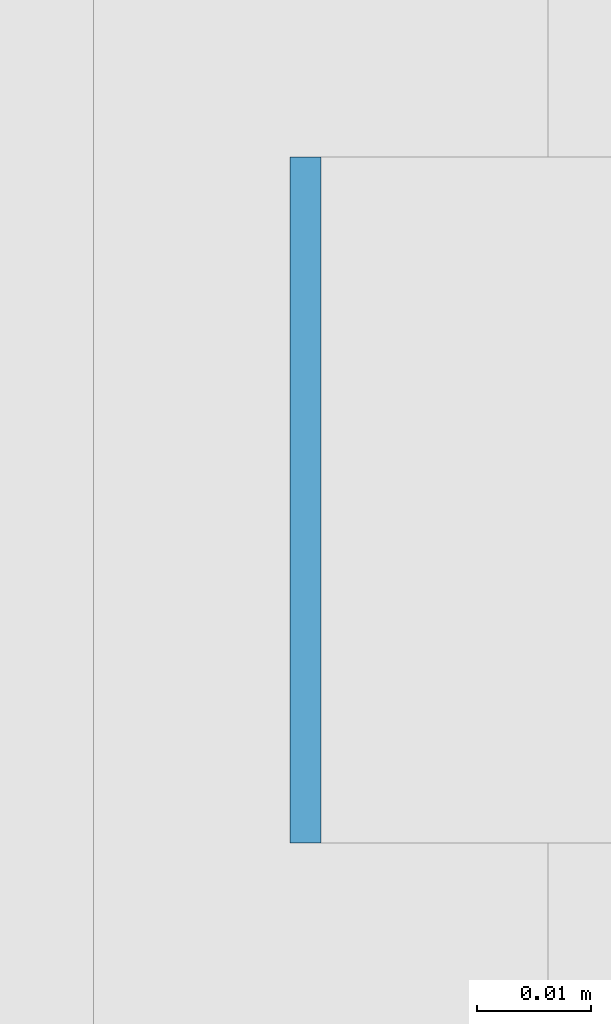
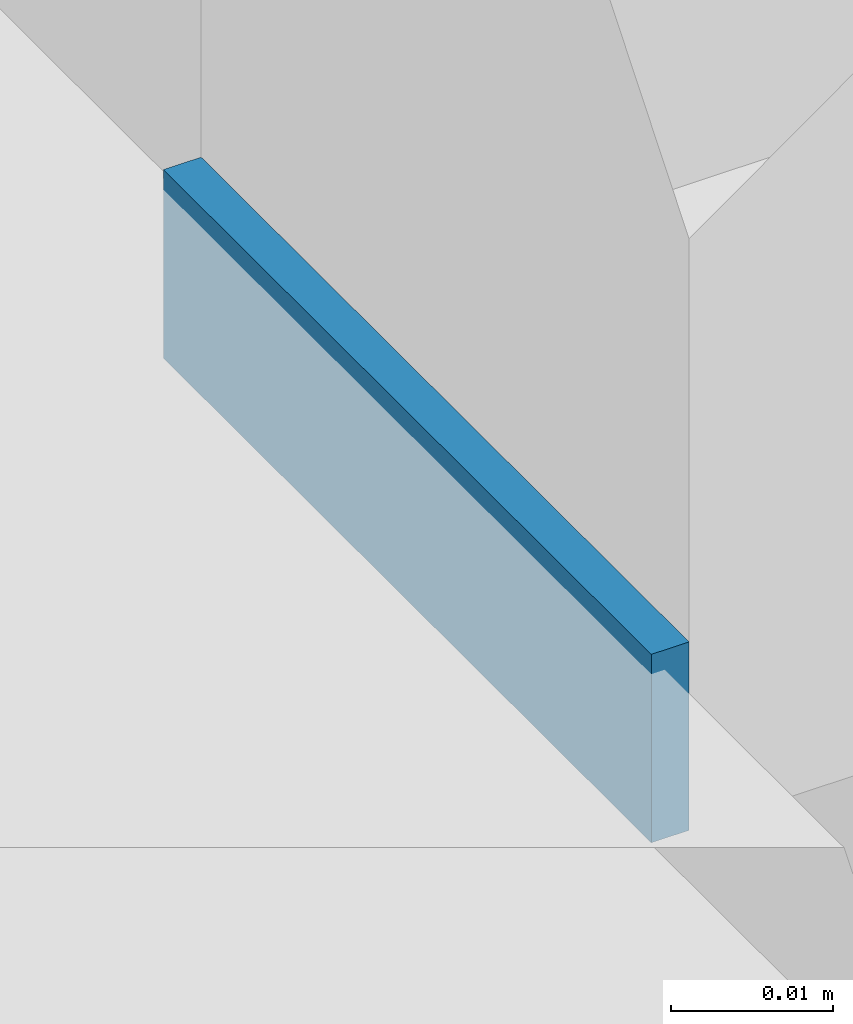
# One storey, part 468 of 646: 1 discrete accessory.
"""IFC4 building model written with IfcOpenShell, lengths in metres."""

from ifc_helpers import new_model, si_unit, direction, frame, origin, origin_2d, place, context, subcontext, project, spatial, rectangle, extrude, material, type_object, element, save


model = new_model("IFC4")

# Units and contexts
model_context = context("Model", 3, precision=1e-05, world=origin(), true_north=direction((0.0, 1.0)))
body_context = subcontext(model_context, "Body", "Model", "MODEL_VIEW")
ifc_project = project(units=[si_unit("LENGTHUNIT", "METRE"), si_unit("AREAUNIT", "SQUARE_METRE"), si_unit("VOLUMEUNIT", "CUBIC_METRE"), si_unit("PLANEANGLEUNIT", "RADIAN"), si_unit("MASSUNIT", "GRAM", prefix="KILO")], contexts=[model_context])

# Site, building, storey
site_placement = place(None, origin())
site = spatial("IfcSite", under=ifc_project, at=site_placement, CompositionType="ELEMENT")
building_placement = place(site_placement, origin())
building = spatial("IfcBuilding", under=site, at=building_placement, Name="Silverbay Arena", CompositionType="ELEMENT")
storey_placement = place(building_placement, frame((0.0, 0.0, 33.5)))
storey = spatial("IfcBuildingStorey", under=building, at=storey_placement, Name="L05", CompositionType="ELEMENT", Elevation=33.5)

# Discrete accessory
ifc_material = material(Name="Steel S355", Category="steel")
discrete_accessory_type = type_object("IfcDiscreteAccessoryType", Name="Steel bracket plate", PredefinedType="BRACKET", material=ifc_material)
discrete_accessory_placement = place(storey_placement, frame((207.128662109375, 48.857177734375, 4.0), z_axis=(0.0, 0.0, 1.0), x_axis=(1.0, 0.0, 0.0)))
element("IfcDiscreteAccessory", 1, at=discrete_accessory_placement, inside=storey, type_object=discrete_accessory_type, Name="Curtain wall packing plate", PredefinedType="BRACKET", context=body_context, shape_type="SweptSolid", body=[
    extrude(rectangle(XDim=0.002685546875, YDim=0.06005859375, at=origin_2d()), origin(), (0.0, 0.0, 1.0), 0.01416015625),
])

save(model, "model.ifc")
